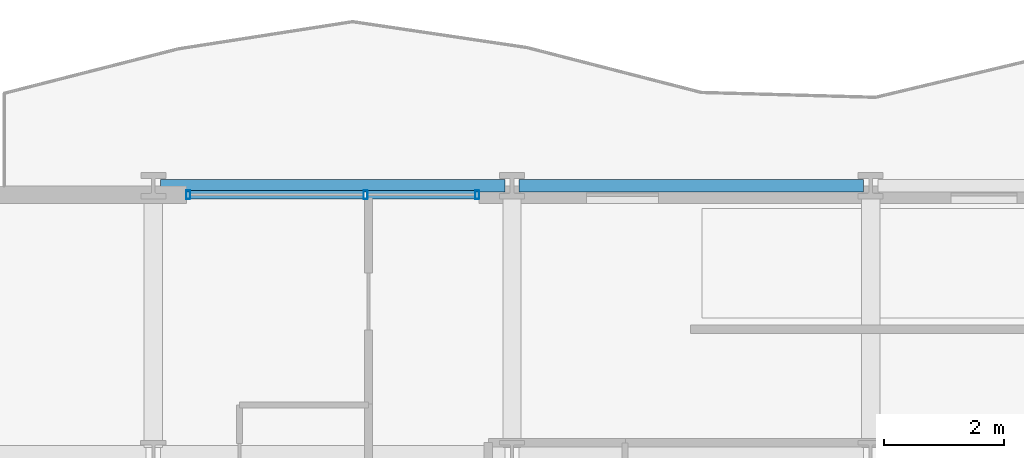
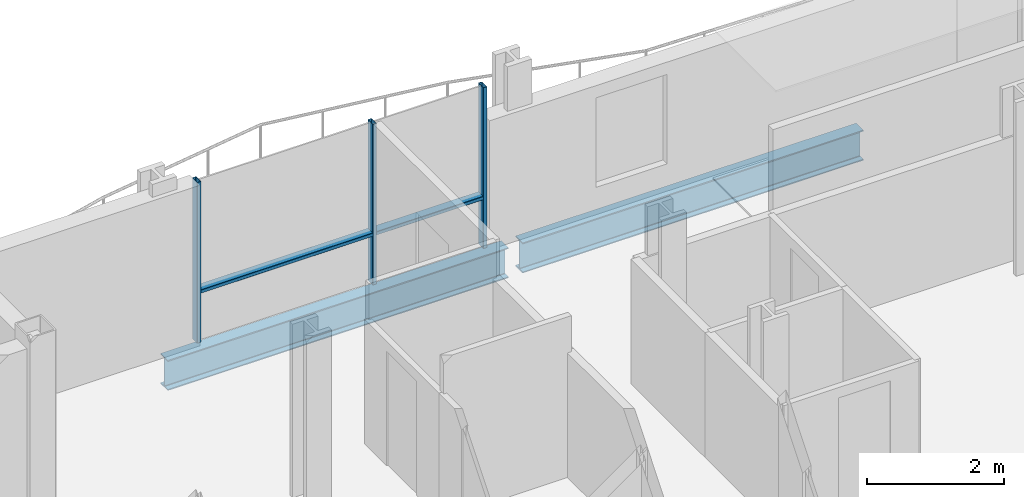
# One storey, part 21 of 41: 5 members, 2 beams, 1 element without a shape of its own.
"""IFC4 building model written with IfcOpenShell, lengths in metres."""

from ifc_helpers import new_model, si_unit, direction, frame, origin, origin_2d, place, context, subcontext, project, spatial, hollow_rectangle, i_section, extrude, material, layer, layer_set, material_profile, profile_set, type_object, element, aggregate, save


model = new_model("IFC4")

# Units and contexts
model_context = context("Model", 3, precision=1e-05, world=origin(), true_north=direction((0.0, 1.0)))
body_context = subcontext(model_context, "Body", "Model", "MODEL_VIEW")
ifc_project = project(units=[si_unit("LENGTHUNIT", "METRE"), si_unit("AREAUNIT", "SQUARE_METRE"), si_unit("VOLUMEUNIT", "CUBIC_METRE"), si_unit("PLANEANGLEUNIT", "RADIAN"), si_unit("MASSUNIT", "GRAM", prefix="KILO")], contexts=[model_context])

# Site, building, storey
site_placement = place(None, origin())
site = spatial("IfcSite", under=ifc_project, at=site_placement, CompositionType="ELEMENT")
building_placement = place(site_placement, origin())
building = spatial("IfcBuilding", under=site, at=building_placement, Name="Brevholm Reach", CompositionType="ELEMENT")
storey_placement = place(building_placement, frame((0.0, 0.0, 43.5)))
storey = spatial("IfcBuildingStorey", under=building, at=storey_placement, Name="L11", CompositionType="ELEMENT", Elevation=43.5)

# Beams
ifc_material_1 = material(Name="Structural Steel S355J2", Category="steel")
ifc_material_profile_1 = material_profile(ifc_material_1, i_section(OverallWidth=0.210693359375, OverallDepth=0.53955078125, WebThickness=0.01171875, FlangeThickness=0.018798828125, FilletRadius=0.0126953125, at=origin_2d()), Name="UKB 533x210x109")
ifc_profile_set_1 = profile_set([ifc_material_profile_1], Name="Structural Steel S355J2")
beam_type = type_object("IfcBeamType", Name="BM-SP539", PredefinedType="SPANDREL", material=ifc_profile_set_1)
for number, where, z_axis, x_axis, name in (
    (1, (6.1201171875, 31.0, -0.499755859375), (1.0, 0.0, 0.0), (0.0, 1.0, 0.0), "L11 SP-01B Framing Beam"),
    (2, (12.1201171875, 31.0, -0.499755859375), (1.0, 0.0, 0.0), (0.0, 1.0, 0.0), "L11 SP-01B Framing Beam"),
):
    element("IfcBeam", number, at=place(storey_placement, frame(where, z_axis=z_axis, x_axis=x_axis)), inside=storey, type_object=beam_type, Name=name, PredefinedType="SPANDREL", context=body_context, shape_type="SweptSolid", body=[
        extrude(i_section(OverallWidth=0.210693359375, OverallDepth=0.53955078125, WebThickness=0.01171875, FlangeThickness=0.018798828125, FilletRadius=0.0126953125, at=origin_2d()), origin(), (0.0, 0.0, 1.0), 5.759765625),
    ])

# Curtain wall, members
ifc_material_2 = material(Name="Dark Anodised Aluminium 6063-T6 and Solar-Control Glass", Category="aluminium")
ifc_layer = layer(ifc_material_2, 0.14990234375)
ifc_layer_set = layer_set([ifc_layer], Name="Dark Anodised Aluminium 6063-T6 and Solar-Control Glass")
curtain_wall_type = type_object("IfcCurtainWallType", Name="CW-01", PredefinedType="NOTDEFINED", material=ifc_layer_set)
curtain_wall_placement = place(storey_placement, origin())
curtain_wall = element("IfcCurtainWall", 3, at=curtain_wall_placement, inside=storey, type_object=curtain_wall_type, Name="L11 Curtain Wall CW-01", PredefinedType="NOTDEFINED")
ifc_material_3 = material(Name="Dark Anodised Aluminium 6063-T6", Category="aluminium")
ifc_material_profile_2 = material_profile(ifc_material_3, hollow_rectangle(XDim=0.06494140625, YDim=0.14990234375, WallThickness=0.0048828125, InnerFilletRadius=0.0048828125, OuterFilletRadius=0.010009765625, at=origin_2d()), Name="RHS 150x65x5")
ifc_profile_set_2 = profile_set([ifc_material_profile_2], Name="Dark Anodised Aluminium 6063-T6")
member_type_1 = type_object("IfcMemberType", Name="CWM-150", PredefinedType="MULLION", material=ifc_profile_set_2)
member_1_placement = place(storey_placement, frame((6.58251953125, 30.85009765625, 0.0), z_axis=(0.0, 0.0, 1.0), x_axis=(1.0, 0.0, 0.0)))
member_1 = element("IfcMember", 4, at=member_1_placement, type_object=member_type_1, Name="CM-150 Mullion 1", PredefinedType="MULLION", context=body_context, shape_type="SweptSolid", body=[
    extrude(hollow_rectangle(XDim=0.06494140625, YDim=0.14990234375, WallThickness=0.0048828125, InnerFilletRadius=0.0048828125, OuterFilletRadius=0.010009765625, at=origin_2d()), origin(), (0.0, 0.0, 1.0), 2.8701171875),
])
member_2_placement = place(storey_placement, frame((9.550048828125, 30.85009765625, 0.0), z_axis=(0.0, 0.0, 1.0), x_axis=(1.0, 0.0, 0.0)))
member_2 = element("IfcMember", 5, at=member_2_placement, type_object=member_type_1, Name="CM-150 Mullion 2", PredefinedType="MULLION", context=body_context, shape_type="SweptSolid", body=[
    extrude(hollow_rectangle(XDim=0.06494140625, YDim=0.14990234375, WallThickness=0.0048828125, InnerFilletRadius=0.0048828125, OuterFilletRadius=0.010009765625, at=origin_2d()), origin(), (0.0, 0.0, 1.0), 2.8701171875),
])
member_3_placement = place(storey_placement, frame((11.41748046875, 30.85009765625, 0.0), z_axis=(0.0, 0.0, 1.0), x_axis=(1.0, 0.0, 0.0)))
member_3 = element("IfcMember", 6, at=member_3_placement, type_object=member_type_1, Name="CM-150 Mullion 3", PredefinedType="MULLION", context=body_context, shape_type="SweptSolid", body=[
    extrude(hollow_rectangle(XDim=0.06494140625, YDim=0.14990234375, WallThickness=0.0048828125, InnerFilletRadius=0.0048828125, OuterFilletRadius=0.010009765625, at=origin_2d()), origin(), (0.0, 0.0, 1.0), 2.8701171875),
])
ifc_material_4 = material(Name="Dark Anodised Aluminium 6063-T6", Category="aluminium")
ifc_material_profile_3 = material_profile(ifc_material_4, hollow_rectangle(XDim=0.06494140625, YDim=0.14990234375, WallThickness=0.0048828125, InnerFilletRadius=0.0048828125, OuterFilletRadius=0.010009765625, at=origin_2d()), Name="RHS 150x65x5")
ifc_profile_set_3 = profile_set([ifc_material_profile_3], Name="Dark Anodised Aluminium 6063-T6")
member_type_2 = type_object("IfcMemberType", Name="CWT-150", PredefinedType="NOTDEFINED", material=ifc_profile_set_3)
member_4_placement = place(storey_placement, frame((6.614990234375, 30.85009765625, 0.89990234375), z_axis=(1.0, 0.0, 0.0), x_axis=(0.0, 0.0, 1.0)))
member_4 = element("IfcMember", 7, at=member_4_placement, type_object=member_type_2, Name="CT-150 Transom 1.1", ObjectType="TRANSOM", PredefinedType="USERDEFINED", context=body_context, shape_type="SweptSolid", body=[
    extrude(hollow_rectangle(XDim=0.06494140625, YDim=0.14990234375, WallThickness=0.0048828125, InnerFilletRadius=0.0048828125, OuterFilletRadius=0.010009765625, at=origin_2d()), origin(), (0.0, 0.0, 1.0), 2.902587890625),
])
member_5_placement = place(storey_placement, frame((9.58251953125, 30.85009765625, 0.89990234375), z_axis=(1.0, 0.0, 0.0), x_axis=(0.0, 0.0, 1.0)))
member_5 = element("IfcMember", 8, at=member_5_placement, type_object=member_type_2, Name="CT-150 Transom 2.1", ObjectType="TRANSOM", PredefinedType="USERDEFINED", context=body_context, shape_type="SweptSolid", body=[
    extrude(hollow_rectangle(XDim=0.06494140625, YDim=0.14990234375, WallThickness=0.0048828125, InnerFilletRadius=0.0048828125, OuterFilletRadius=0.010009765625, at=origin_2d()), origin(), (0.0, 0.0, 1.0), 1.802490234375),
])
aggregate(curtain_wall, [member_1, member_2, member_3, member_4, member_5])

save(model, "model.ifc")
